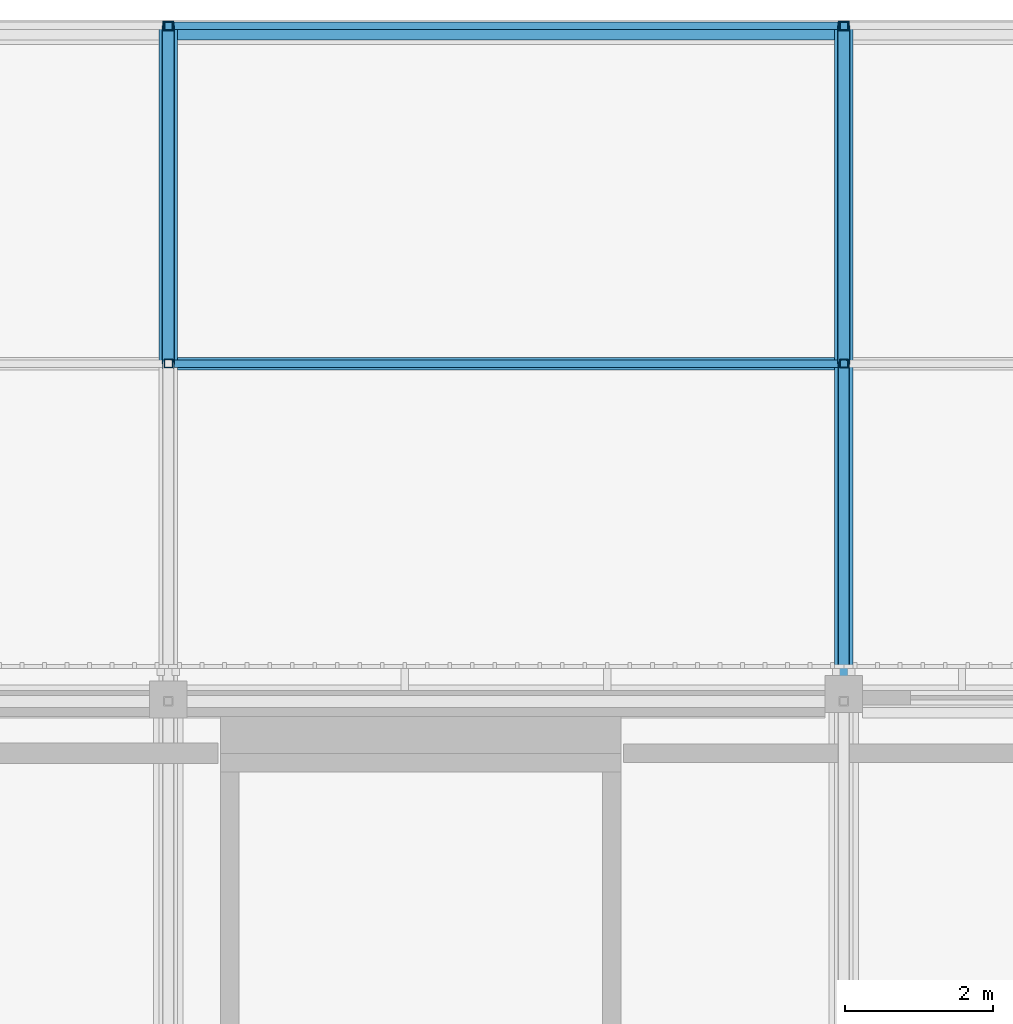
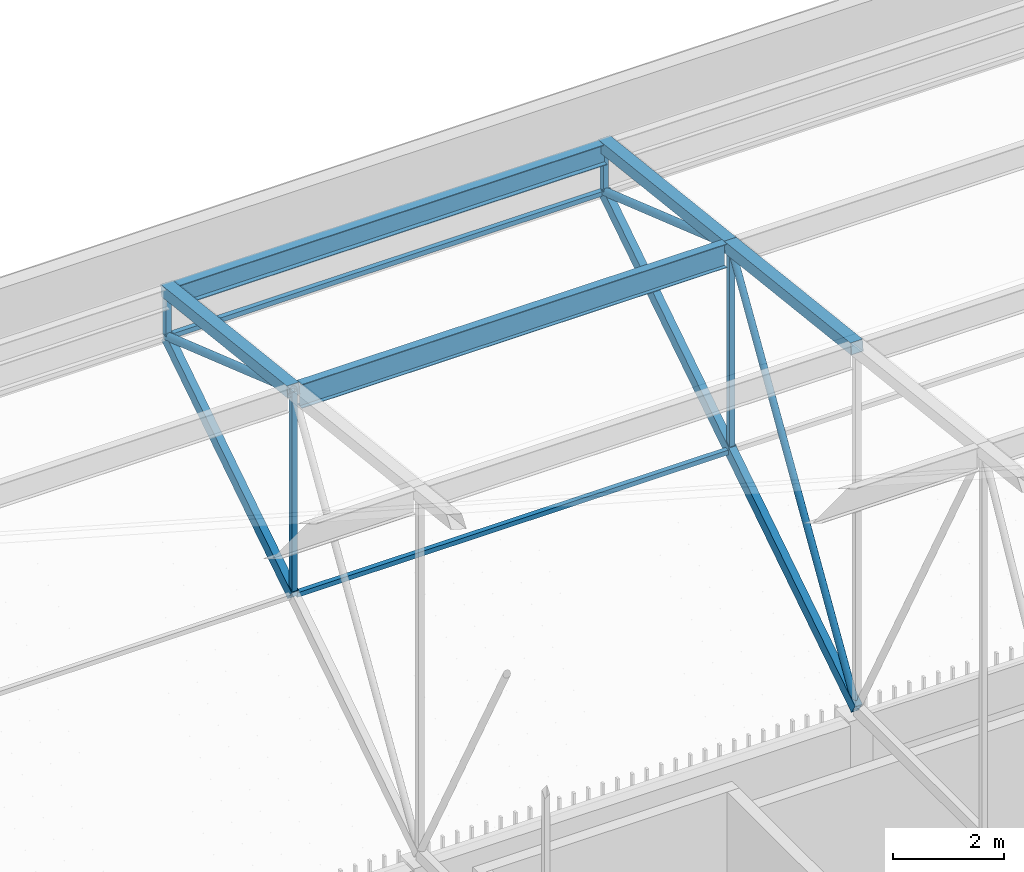
# One storey, part 248 of 500: 17 members.
"""IFC4 building model written with IfcOpenShell, lengths in metres."""

from ifc_helpers import new_model, si_unit, direction, frame, origin, origin_2d, place, context, subcontext, project, spatial, hollow_rectangle, hollow_circle, i_section, extrude, material, material_profile, profile_set, type_object, element, save


model = new_model("IFC4")

# Units and contexts
model_context = context("Model", 3, precision=1e-05, world=origin(), true_north=direction((0.0, 1.0)))
body_context = subcontext(model_context, "Body", "Model", "MODEL_VIEW")
ifc_project = project(units=[si_unit("LENGTHUNIT", "METRE"), si_unit("AREAUNIT", "SQUARE_METRE"), si_unit("VOLUMEUNIT", "CUBIC_METRE"), si_unit("PLANEANGLEUNIT", "RADIAN"), si_unit("MASSUNIT", "GRAM", prefix="KILO")], contexts=[model_context])

# Site, building, storey
site_placement = place(None, origin())
site = spatial("IfcSite", under=ifc_project, at=site_placement, CompositionType="ELEMENT")
building_placement = place(site_placement, origin())
building = spatial("IfcBuilding", under=site, at=building_placement, Name="Shirokan Park Arena", CompositionType="ELEMENT")
storey_placement = place(building_placement, frame((0.0, 0.0, 29.1201171875)))
storey = spatial("IfcBuildingStorey", under=building, at=storey_placement, Name="L06", CompositionType="ELEMENT", Elevation=29.1201171875)

# Members
ifc_material_1 = material(Name="Steel ASTM A500 Grade C", Category="steel")
ifc_material_profile_1 = material_profile(ifc_material_1, hollow_rectangle(XDim=0.152099609375, YDim=0.25390625, WallThickness=0.009521484375, at=origin_2d()), Name="HSS254X152.4X9.5")
ifc_profile_set_1 = profile_set([ifc_material_profile_1], Name="Steel ASTM A500 Grade C")
member_type_1 = type_object("IfcMemberType", Name="Bottom chord HSS254X152.4X9.5", PredefinedType="CHORD", material=ifc_profile_set_1)
for number, where, z_axis, x_axis, name in (
    (1, (27.300048828125, 113.75, 7.6044921875), (0.0, 0.840971691661, 0.541079119746), (-1.0, 0.0, 0.0), "Truss T04 bottom chord 28"),
    (2, (36.39990234375, 109.199951171875, 4.677001953125), (0.0, 0.840971691661, 0.541079119746), (-1.0, 0.0, 0.0), "Truss T05 bottom chord 27"),
    (3, (36.39990234375, 113.75, 7.6044921875), (0.0, 0.840971691661, 0.541079119746), (-1.0, 0.0, 0.0), "Truss T05 bottom chord 28"),
):
    element("IfcMember", number, at=place(storey_placement, frame(where, z_axis=z_axis, x_axis=x_axis)), inside=storey, type_object=member_type_1, Name=name, PredefinedType="CHORD", context=body_context, shape_type="SweptSolid", body=[
        extrude(hollow_rectangle(XDim=0.152099609375, YDim=0.25390625, WallThickness=0.009521484375, at=origin_2d()), origin(), (0.0, 0.0, 1.0), 5.410400390625),
    ])
ifc_material_profile_2 = material_profile(ifc_material_1, hollow_rectangle(XDim=0.10205078125, YDim=0.10205078125, WallThickness=0.00634765625, at=origin_2d()), Name="HSS101.6X101.6X6.4")
ifc_profile_set_2 = profile_set([ifc_material_profile_2], Name="Steel ASTM A500 Grade C")
member_type_2 = type_object("IfcMemberType", Name="Eave soffit rail HSS101.6X101.6X6.4", PredefinedType="USERDEFINED", material=ifc_profile_set_2)
for number, where, z_axis, x_axis, name in (
    (4, (27.35693359375, 118.300048828125, 10.531982421875), (1.0, 0.0, 0.0), (0.0, 1.0, 0.0), "Eave soffit rail N 29 bay 4"),
    (5, (27.35693359375, 113.75, 7.6044921875), (1.0, 0.0, 0.0), (0.0, 1.0, 0.0), "Eave soffit rail N 28 bay 4"),
):
    element("IfcMember", number, at=place(storey_placement, frame(where, z_axis=z_axis, x_axis=x_axis)), inside=storey, type_object=member_type_2, Name=name, ObjectType="EAVE SOFFIT RAIL", PredefinedType="USERDEFINED", context=body_context, shape_type="SweptSolid", body=[
        extrude(hollow_rectangle(XDim=0.10205078125, YDim=0.10205078125, WallThickness=0.00634765625, at=origin_2d()), origin(), (0.0, 0.0, 1.0), 8.986083984375),
    ])
ifc_material_2 = material(Name="Steel ASTM A992", Category="steel")
ifc_material_profile_3 = material_profile(ifc_material_2, i_section(OverallWidth=0.166015625, OverallDepth=0.528076171875, WebThickness=0.009765625, FlangeThickness=0.013671875, at=origin_2d()), Name="W530X74")
ifc_profile_set_3 = profile_set([ifc_material_profile_3], Name="Steel ASTM A992")
member_type_3 = type_object("IfcMemberType", Name="Purlin W530X74", PredefinedType="PURLIN", material=ifc_profile_set_3)
member_1_placement = place(storey_placement, frame((27.427001953125, 113.75, 11.9658203125), z_axis=(1.0, 0.0, 0.0), x_axis=(0.0, 1.0, 0.0)))
element("IfcMember", 6, at=member_1_placement, inside=storey, type_object=member_type_3, Name="Purlin 28 bay 4", PredefinedType="PURLIN", context=body_context, shape_type="SweptSolid", body=[
    extrude(i_section(OverallWidth=0.166015625, OverallDepth=0.528076171875, WebThickness=0.009765625, FlangeThickness=0.013671875, at=origin_2d()), origin(), (0.0, 0.0, 1.0), 8.845947265625),
])
ifc_material_profile_4 = material_profile(ifc_material_2, i_section(OverallWidth=0.19091796875, OverallDepth=0.45703125, WebThickness=0.009033203125, FlangeThickness=0.014404296875, at=origin_2d()), Name="W460X74")
ifc_profile_set_4 = profile_set([ifc_material_profile_4], Name="Steel ASTM A992")
member_type_4 = type_object("IfcMemberType", Name="Roof edge beam W460X74", PredefinedType="USERDEFINED", material=ifc_profile_set_4)
member_2_placement = place(storey_placement, frame((27.35693359375, 118.20458984375, 11.4814453125), z_axis=(1.0, 0.0, 0.0), x_axis=(0.0, 1.0, 0.0)))
element("IfcMember", 7, at=member_2_placement, inside=storey, type_object=member_type_4, Name="Roof edge beam N 5", ObjectType="ROOF EDGE BEAM", PredefinedType="USERDEFINED", context=body_context, shape_type="SweptSolid", body=[
    extrude(i_section(OverallWidth=0.19091796875, OverallDepth=0.45703125, WebThickness=0.009033203125, FlangeThickness=0.014404296875, at=origin_2d()), origin(), (0.0, 0.0, 1.0), 8.986083984375),
])
ifc_material_profile_5 = material_profile(ifc_material_1, hollow_rectangle(XDim=0.25390625, YDim=0.25390625, WallThickness=0.009521484375, at=origin_2d()), Name="HSS254X254X9.5")
ifc_profile_set_5 = profile_set([ifc_material_profile_5], Name="Steel ASTM A500 Grade C")
member_type_5 = type_object("IfcMemberType", Name="Top chord HSS254X254X9.5", PredefinedType="CHORD", material=ifc_profile_set_5)
for number, where, z_axis, x_axis, name in (
    (8, (27.300048828125, 113.75, 12.102783203125), (0.0, 0.993532328996, -0.113549598152), (-1.0, 0.0, 0.0), "Truss T04 top chord 28"),
    (9, (36.39990234375, 109.199951171875, 12.622802734375), (0.0, 0.993532328996, -0.113549598152), (-1.0, 0.0, 0.0), "Truss T05 top chord 27"),
    (10, (36.39990234375, 113.75, 12.102783203125), (0.0, 0.993532328996, -0.113549598152), (-1.0, 0.0, 0.0), "Truss T05 top chord 28"),
):
    element("IfcMember", number, at=place(storey_placement, frame(where, z_axis=z_axis, x_axis=x_axis)), inside=storey, type_object=member_type_5, Name=name, PredefinedType="CHORD", context=body_context, shape_type="SweptSolid", body=[
        extrude(hollow_rectangle(XDim=0.25390625, YDim=0.25390625, WallThickness=0.009521484375, at=origin_2d()), origin(), (0.0, 0.0, 1.0), 4.57958984375),
    ])
ifc_material_profile_6 = material_profile(ifc_material_1, hollow_circle(Radius=0.070556640625, WallThickness=0.006591796875, at=origin_2d()), Name="HSS141.3X6.6")
ifc_profile_set_6 = profile_set([ifc_material_profile_6], Name="Steel ASTM A500 Grade C")
member_type_6 = type_object("IfcMemberType", Name="Truss diagonal HSS141.3X6.6", PredefinedType="BRACE", material=ifc_profile_set_6)
member_3_placement = place(storey_placement, frame((36.39990234375, 109.199951171875, 4.677001953125), z_axis=(0.0, 0.522458847856, 0.852664501605), x_axis=(-1.0, 0.0, 0.0)))
element("IfcMember", 11, at=member_3_placement, inside=storey, type_object=member_type_6, Name="Truss T05 diagonal 27", PredefinedType="BRACE", context=body_context, shape_type="SweptSolid", body=[
    extrude(hollow_circle(Radius=0.070556640625, WallThickness=0.006591796875, at=origin_2d()), origin(), (0.0, 0.0, 1.0), 8.708984375),
])
ifc_material_profile_7 = material_profile(ifc_material_1, hollow_circle(Radius=0.083984375, WallThickness=0.009521484375, at=origin_2d()), Name="HSS168.3X9.5")
ifc_profile_set_7 = profile_set([ifc_material_profile_7], Name="Steel ASTM A500 Grade C")
member_type_7 = type_object("IfcMemberType", Name="Truss diagonal HSS168.3X9.5", PredefinedType="BRACE", material=ifc_profile_set_7)
for number, where, z_axis, x_axis, name in (
    (12, (27.300048828125, 113.75, 12.102783203125), (0.0, 0.945256498603, -0.326328288459), (-1.0, 0.0, 0.0), "Truss T04 diagonal 28"),
    (13, (36.39990234375, 113.75, 12.102783203125), (0.0, 0.945256498603, -0.326328288459), (-1.0, 0.0, 0.0), "Truss T05 diagonal 28"),
):
    element("IfcMember", number, at=place(storey_placement, frame(where, z_axis=z_axis, x_axis=x_axis)), inside=storey, type_object=member_type_7, Name=name, PredefinedType="BRACE", context=body_context, shape_type="SweptSolid", body=[
        extrude(hollow_circle(Radius=0.083984375, WallThickness=0.009521484375, at=origin_2d()), origin(), (0.0, 0.0, 1.0), 4.8134765625),
    ])
ifc_material_profile_8 = material_profile(ifc_material_1, hollow_rectangle(XDim=0.114013671875, YDim=0.114013671875, WallThickness=0.00634765625, at=origin_2d()), Name="HSS114.3X114.3X6.4")
ifc_profile_set_8 = profile_set([ifc_material_profile_8], Name="Steel ASTM A500 Grade C")
member_type_8 = type_object("IfcMemberType", Name="Truss post HSS114.3X114.3X6.4", PredefinedType="POST", material=ifc_profile_set_8)
member_4_placement = place(storey_placement, frame((27.300048828125, 113.75, 7.6044921875), z_axis=(0.0, 0.0, 1.0), x_axis=(1.0, 0.0, 0.0)))
element("IfcMember", 14, at=member_4_placement, inside=storey, type_object=member_type_8, Name="Truss T04 post 28", PredefinedType="POST", context=body_context, shape_type="SweptSolid", body=[
    extrude(hollow_rectangle(XDim=0.114013671875, YDim=0.114013671875, WallThickness=0.00634765625, at=origin_2d()), origin(), (0.0, 0.0, 1.0), 4.498291015625),
])
member_5_placement = place(storey_placement, frame((27.300048828125, 118.300048828125, 10.531982421875), z_axis=(0.0, 0.0, 1.0), x_axis=(1.0, 0.0, 0.0)))
element("IfcMember", 15, at=member_5_placement, inside=storey, type_object=member_type_8, Name="Truss T04 post 29", PredefinedType="POST", context=body_context, shape_type="SweptSolid", body=[
    extrude(hollow_rectangle(XDim=0.114013671875, YDim=0.114013671875, WallThickness=0.00634765625, at=origin_2d()), origin(), (0.0, 0.0, 1.0), 1.05078125),
])
member_6_placement = place(storey_placement, frame((36.39990234375, 113.75, 7.6044921875), z_axis=(0.0, 0.0, 1.0), x_axis=(1.0, 0.0, 0.0)))
element("IfcMember", 16, at=member_6_placement, inside=storey, type_object=member_type_8, Name="Truss T05 post 28", PredefinedType="POST", context=body_context, shape_type="SweptSolid", body=[
    extrude(hollow_rectangle(XDim=0.114013671875, YDim=0.114013671875, WallThickness=0.00634765625, at=origin_2d()), origin(), (0.0, 0.0, 1.0), 4.498291015625),
])
member_7_placement = place(storey_placement, frame((36.39990234375, 118.300048828125, 10.531982421875), z_axis=(0.0, 0.0, 1.0), x_axis=(1.0, 0.0, 0.0)))
element("IfcMember", 17, at=member_7_placement, inside=storey, type_object=member_type_8, Name="Truss T05 post 29", PredefinedType="POST", context=body_context, shape_type="SweptSolid", body=[
    extrude(hollow_rectangle(XDim=0.114013671875, YDim=0.114013671875, WallThickness=0.00634765625, at=origin_2d()), origin(), (0.0, 0.0, 1.0), 1.05078125),
])

save(model, "model.ifc")
